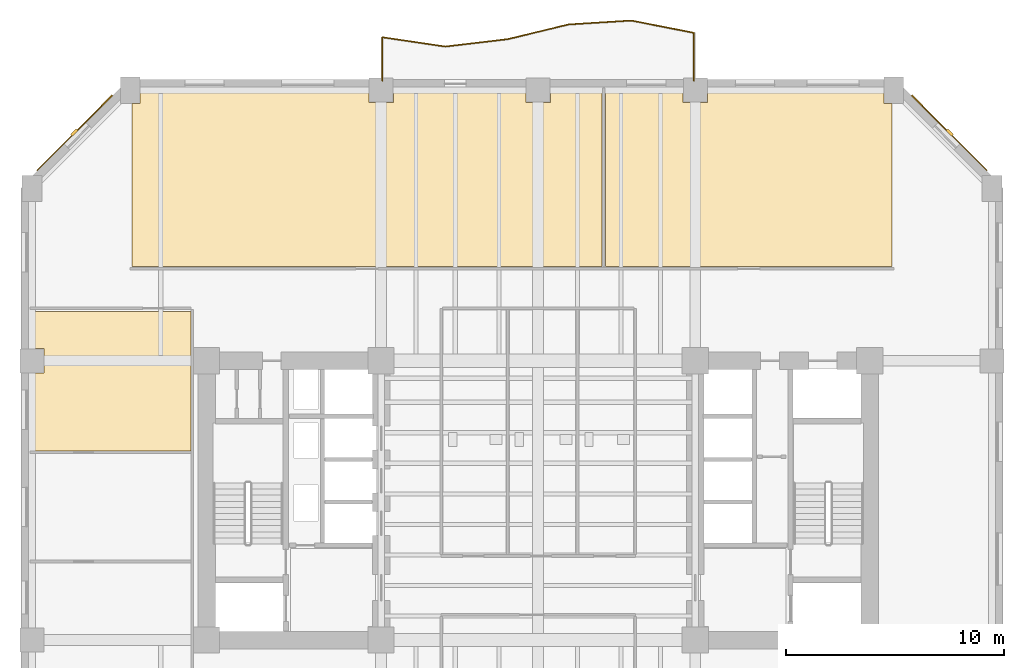
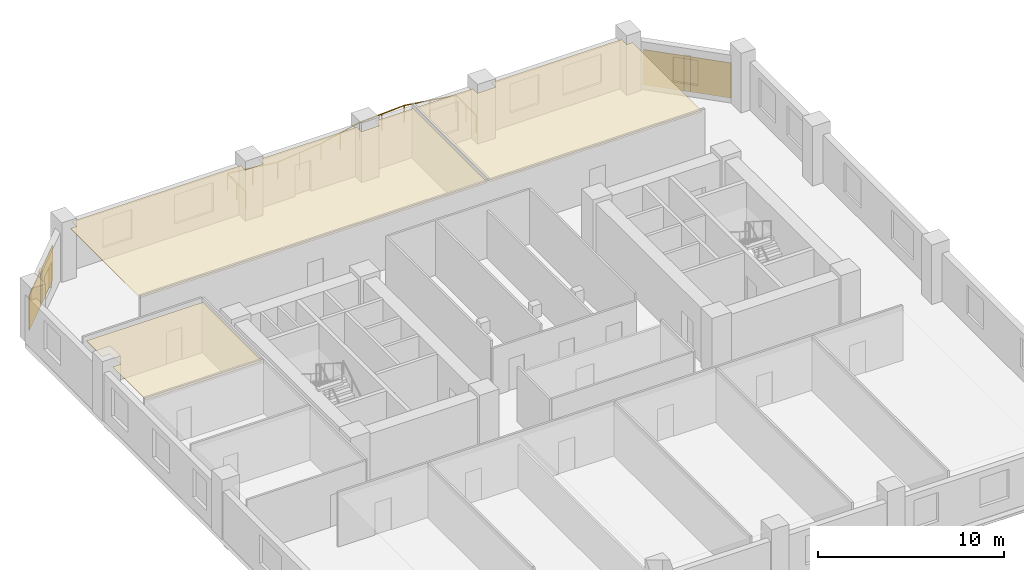
# One storey, part 9 of 10: 5 coverings, 2 shading devices, 1 railing.
"""IFC4 building model written with IfcOpenShell, lengths in metres."""

from ifc_helpers import new_model, si_unit, direction, frame, origin, origin_2d, place, context, subcontext, project, spatial, polyline, rectangle, circle, outline, extrude, material, layer, layer_set, type_object, element, save


model = new_model("IFC4")

# Units and contexts
model_context = context("Model", 3, precision=1e-05, world=origin(), true_north=direction((0.0, 1.0)))
body_context = subcontext(model_context, "Body", "Model", "MODEL_VIEW")
ifc_project = project(units=[si_unit("LENGTHUNIT", "METRE"), si_unit("AREAUNIT", "SQUARE_METRE"), si_unit("VOLUMEUNIT", "CUBIC_METRE"), si_unit("PLANEANGLEUNIT", "RADIAN"), si_unit("MASSUNIT", "GRAM", prefix="KILO")], contexts=[model_context])

# Site, building, storey
site_placement = place(None, origin())
site = spatial("IfcSite", under=ifc_project, at=site_placement, CompositionType="ELEMENT")
building_placement = place(site_placement, origin())
building = spatial("IfcBuilding", under=site, at=building_placement, Name="Kranthara Brick Stack", CompositionType="ELEMENT")
storey_placement = place(building_placement, frame((0.0, 0.0, 39.89990234375)))
storey = spatial("IfcBuildingStorey", under=building, at=storey_placement, Name="L09", CompositionType="ELEMENT", Elevation=39.89990234375)

# Coverings
ifc_material_1 = material(Name="Perforated mineral-fibre acoustic ceiling tile", Category="other")
ifc_layer_1 = layer(ifc_material_1, 0.02490234375)
ifc_layer_set_1 = layer_set([ifc_layer_1], Name="Perforated mineral-fibre acoustic ceiling tile")
covering_type_1 = type_object("IfcCoveringType", Name="COV-CEIL-ACOUSTIC", PredefinedType="CEILING", material=ifc_layer_set_1)
covering_1_placement = place(storey_placement, frame((0.0, 0.0, 3.330078125)))
element("IfcCovering", 1, at=covering_1_placement, inside=storey, type_object=covering_type_1, Name="L09 L09 Open Plan Workspace 1 Acoustic Ceiling", PredefinedType="CEILING", context=body_context, shape_type="SweptSolid", body=[
    extrude(outline(polyline([(9.3798828125, 37.919921875), (9.3798828125, 45.389892578125), (9.760009765625, 45.389892578125), (9.760009765625, 45.929931640625), (20.239990234375, 45.929931640625), (20.239990234375, 45.43994140625), (21.360107421875, 45.43994140625), (21.360107421875, 45.929931640625), (27.43994140625, 45.929931640625), (27.43994140625, 45.43994140625), (28.56005859375, 45.43994140625), (28.56005859375, 45.929931640625), (30.919921875, 45.929931640625), (30.919921875, 37.919921875), (9.3798828125, 37.919921875)])), origin(), (0.0, 0.0, 1.0), 0.02490234375),
])
covering_2_placement = place(storey_placement, frame((0.0, 0.0, 3.330078125)))
element("IfcCovering", 2, at=covering_2_placement, inside=storey, type_object=covering_type_1, Name="L09 L09 Staff Pantry 2 Acoustic Ceiling", PredefinedType="CEILING", context=body_context, shape_type="SweptSolid", body=[
    extrude(outline(polyline([(44.219970703125, 37.919921875), (31.080078125, 37.919921875), (31.080078125, 45.929931640625), (34.639892578125, 45.929931640625), (34.639892578125, 45.43994140625), (35.760009765625, 45.43994140625), (35.760009765625, 45.929931640625), (43.840087890625, 45.929931640625), (43.840087890625, 45.389892578125), (44.219970703125, 45.389892578125), (44.219970703125, 37.919921875)])), origin(), (0.0, 0.0, 1.0), 0.02490234375),
])
covering_3_placement = place(storey_placement, frame((0.0, 0.0, 3.330078125)))
element("IfcCovering", 3, at=covering_3_placement, inside=storey, type_object=covering_type_1, Name="L09 L09 West Executive Office 3 Acoustic Ceiling", PredefinedType="CEILING", context=body_context, shape_type="SweptSolid", body=[
    extrude(outline(polyline([(4.8701171875, 35.860107421875), (12.080078125, 35.860107421875), (12.080078125, 29.4599609375), (4.8701171875, 29.4599609375), (4.8701171875, 33.0400390625), (5.360107421875, 33.0400390625), (5.360107421875, 34.159912109375), (4.8701171875, 34.159912109375), (4.8701171875, 35.860107421875)])), origin(), (0.0, 0.0, 1.0), 0.02490234375),
])
ifc_material_2 = material(Name="Warm buff kiln-fired brick slip rainscreen", Category="masonry")
ifc_layer_2 = layer(ifc_material_2, 0.044921875)
ifc_layer_set_2 = layer_set([ifc_layer_2], Name="Warm buff kiln-fired brick slip rainscreen")
covering_type_2 = type_object("IfcCoveringType", Name="COV-CLAD-BRICK", PredefinedType="CLADDING", material=ifc_layer_set_2)
for number, where, z_axis, x_axis, name in (
    (4, (6.756591796875, 44.04345703125, 0.05029296875), (0.0, 0.0, 1.0), (0.707106781187, 0.707106781187, 0.0), "L09 Chamfer Brick Rainscreen Cladding NW"),
    (5, (46.843505859375, 44.04345703125, 0.05029296875), (0.0, 0.0, 1.0), (0.707106781187, -0.707106781187, 0.0), "L09 Chamfer Brick Rainscreen Cladding NE"),
):
    element("IfcCovering", number, at=place(storey_placement, frame(where, z_axis=z_axis, x_axis=x_axis)), inside=storey, type_object=covering_type_2, Name=name, PredefinedType="CLADDING", context=body_context, shape_type="SweptSolid", body=[
        extrude(rectangle(XDim=4.876953125, YDim=0.044921875, at=origin_2d()), origin(), (0.0, 0.0, 1.0), 2.300048828125),
    ])

# Railing
ifc_material_3 = material(Name="Bronze anodised aluminium and laminated glass balustrade", Category="aluminium")
railing_type = type_object("IfcRailingType", Name="RL-BALC-1120", PredefinedType="BALUSTRADE", material=ifc_material_3)
railing_placement = place(storey_placement, frame((20.860107421875, 46.43994140625, 0.0)))
element("IfcRailing", 6, at=railing_placement, inside=storey, type_object=railing_type, Name="L09 North Rippling Balcony Balustrade", PredefinedType="BALUSTRADE", context=body_context, shape_type="SweptSolid", body=[
    extrude(circle(Radius=0.02392578125, at=origin_2d()), frame((0.0, 0.0, 1.09619140625), z_axis=(-0.000122744568, 0.999999992467, 0.0), x_axis=(-0.999999992467, -0.000122744568, 0.0)), (0.0, 0.0, 1.0), 1.989013671875),
    extrude(circle(Radius=0.02392578125, at=origin_2d()), frame((-0.000244140625, 1.989013671875, 1.09619140625), z_axis=(0.989212014784, -0.146490920558, 0.0), x_axis=(0.146490920558, 0.989212014784, 0.0)), (0.0, 0.0, 1.0), 2.91162109375),
    extrude(circle(Radius=0.02392578125, at=origin_2d()), frame((2.8798828125, 1.5625, 1.09619140625), z_axis=(0.99303573709, 0.117813517316, 0.0), x_axis=(-0.117813517316, 0.99303573709, 0.0)), (0.0, 0.0, 1.0), 2.899169921875),
    extrude(circle(Radius=0.02392578125, at=origin_2d()), frame((5.7587890625, 1.904052734375, 1.09619140625), z_axis=(0.971923726442, 0.235296132522, 0.0), x_axis=(-0.235296132522, 0.971923726442, 0.0)), (0.0, 0.0, 1.0), 2.851318359375),
    extrude(circle(Radius=0.02392578125, at=origin_2d()), frame((8.530029296875, 2.574951171875, 1.09619140625), z_axis=(0.998058846195, 0.062277921713, 0.0), x_axis=(-0.062277921713, 0.998058846195, 0.0)), (0.0, 0.0, 1.0), 2.87744140625),
    extrude(circle(Radius=0.02392578125, at=origin_2d()), frame((11.40185546875, 2.754150390625, 1.09619140625), z_axis=(0.981385492835, -0.192048208667, 0.0), x_axis=(0.192048208667, 0.981385492835, 0.0)), (0.0, 0.0, 1.0), 2.932861328125),
    extrude(circle(Radius=0.02392578125, at=origin_2d()), frame((14.280029296875, 2.19091796875, 1.09619140625), z_axis=(-0.000111433028, -0.999999993791, 0.0), x_axis=(0.999999993791, -0.000111433028, 0.0)), (0.0, 0.0, 1.0), 2.19091796875),
    extrude(circle(Radius=0.02099609375, at=origin_2d()), origin(), (0.0, 0.0, 1.0), 1.072021484375),
    extrude(circle(Radius=0.02099609375, at=origin_2d()), frame((0.0, 0.99462890625, 0.0)), (0.0, 0.0, 1.0), 1.072021484375),
    extrude(circle(Radius=0.02099609375, at=origin_2d()), frame((-0.000244140625, 1.989013671875, 0.0)), (0.0, 0.0, 1.0), 1.072021484375),
    extrude(circle(Radius=0.02099609375, at=origin_2d()), frame((1.43994140625, 1.77587890625, 0.0)), (0.0, 0.0, 1.0), 1.072021484375),
    extrude(circle(Radius=0.02099609375, at=origin_2d()), frame((2.8798828125, 1.5625, 0.0)), (0.0, 0.0, 1.0), 1.072021484375),
    extrude(circle(Radius=0.02099609375, at=origin_2d()), frame((4.3193359375, 1.7333984375, 0.0)), (0.0, 0.0, 1.0), 1.072021484375),
    extrude(circle(Radius=0.02099609375, at=origin_2d()), frame((5.7587890625, 1.904052734375, 0.0)), (0.0, 0.0, 1.0), 1.072021484375),
    extrude(circle(Radius=0.02099609375, at=origin_2d()), frame((7.14453125, 2.239501953125, 0.0)), (0.0, 0.0, 1.0), 1.072021484375),
    extrude(circle(Radius=0.02099609375, at=origin_2d()), frame((8.530029296875, 2.574951171875, 0.0)), (0.0, 0.0, 1.0), 1.072021484375),
    extrude(circle(Radius=0.02099609375, at=origin_2d()), frame((9.9658203125, 2.66455078125, 0.0)), (0.0, 0.0, 1.0), 1.072021484375),
    extrude(circle(Radius=0.02099609375, at=origin_2d()), frame((11.40185546875, 2.754150390625, 0.0)), (0.0, 0.0, 1.0), 1.072021484375),
    extrude(circle(Radius=0.02099609375, at=origin_2d()), frame((12.8408203125, 2.47265625, 0.0)), (0.0, 0.0, 1.0), 1.072021484375),
    extrude(circle(Radius=0.02099609375, at=origin_2d()), frame((14.280029296875, 2.19091796875, 0.0)), (0.0, 0.0, 1.0), 1.072021484375),
    extrude(circle(Radius=0.02099609375, at=origin_2d()), frame((14.27978515625, 1.095458984375, 0.0)), (0.0, 0.0, 1.0), 1.072021484375),
    extrude(circle(Radius=0.02099609375, at=origin_2d()), frame((14.27978515625, 0.0, 0.0)), (0.0, 0.0, 1.0), 1.072021484375),
])

# Shading devices
ifc_material_4 = material(Name="Kiln-fired terracotta aerodynamic wind fin", Category="masonry")
shading_device_type = type_object("IfcShadingDeviceType", Name="SHD-BAFFLE-CORNER", PredefinedType="SHUTTER", material=ifc_material_4)
for number, where, z_axis, x_axis, name in (
    (7, (6.7353515625, 44.064697265625, 0.05029296875), (0.0, 0.0, 1.0), (0.707106781187, 0.707106781187, 0.0), "L09 Chamfer Wind-Baffle Fin NW"),
    (8, (46.86474609375, 44.064697265625, 0.05029296875), (0.0, 0.0, 1.0), (0.707106781187, -0.707106781187, 0.0), "L09 Chamfer Wind-Baffle Fin NE"),
):
    element("IfcShadingDevice", number, at=place(storey_placement, frame(where, z_axis=z_axis, x_axis=x_axis)), inside=storey, type_object=shading_device_type, Name=name, PredefinedType="SHUTTER", context=body_context, shape_type="SweptSolid", body=[
        extrude(rectangle(XDim=0.35009765625, YDim=0.1201171875, at=origin_2d()), origin(), (0.0, 0.0, 1.0), 2.300048828125),
    ])

save(model, "model.ifc")
